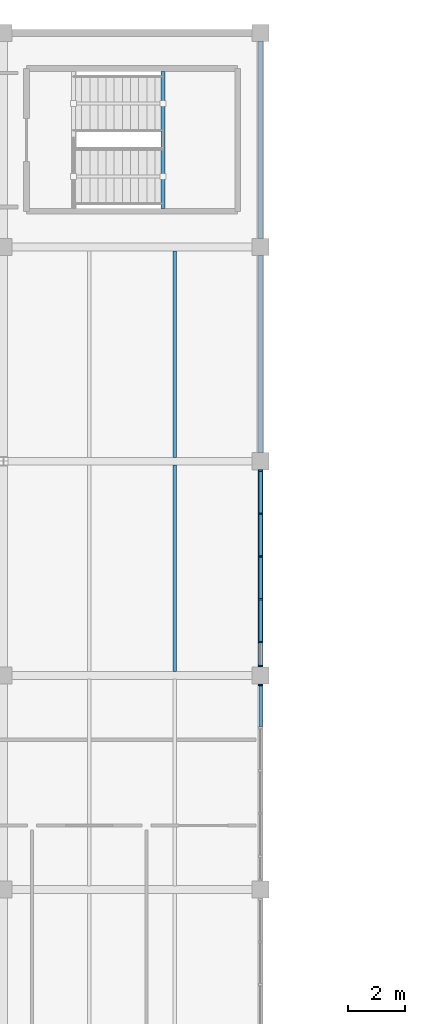
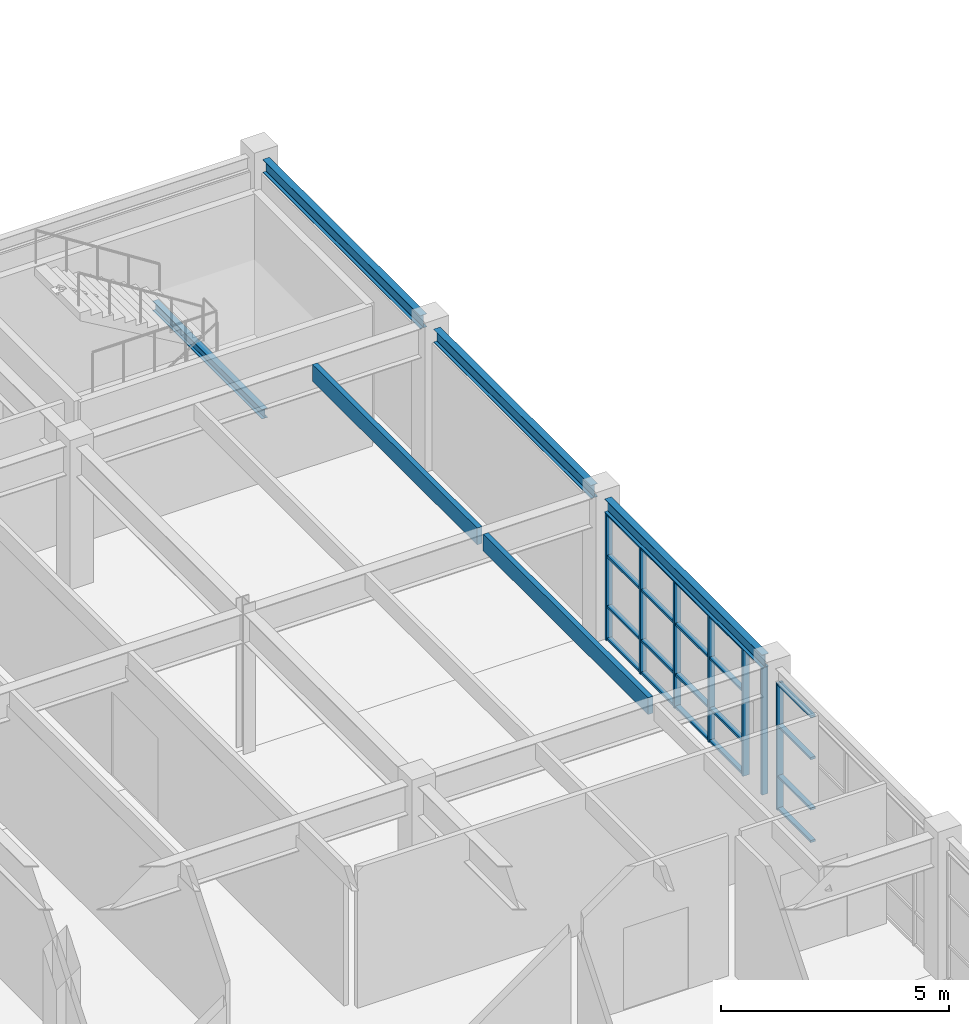
# One storey, part 36 of 76: 27 members, 6 beams, 2 elements without a shape of their own.
"""IFC4 building model written with IfcOpenShell, lengths in metres."""

from ifc_helpers import new_model, si_unit, direction, frame, origin, origin_2d, place, context, subcontext, project, spatial, rectangle, i_section, extrude, material, layer, layer_set, material_profile, profile_set, type_object, element, aggregate, save


model = new_model("IFC4")

# Units and contexts
model_context = context("Model", 3, precision=1e-05, world=origin(), true_north=direction((0.0, 1.0)))
body_context = subcontext(model_context, "Body", "Model", "MODEL_VIEW")
ifc_project = project(units=[si_unit("LENGTHUNIT", "METRE"), si_unit("AREAUNIT", "SQUARE_METRE"), si_unit("VOLUMEUNIT", "CUBIC_METRE"), si_unit("PLANEANGLEUNIT", "RADIAN"), si_unit("MASSUNIT", "GRAM", prefix="KILO")], contexts=[model_context])

# Site, building, storey
site_placement = place(None, origin())
site = spatial("IfcSite", under=ifc_project, at=site_placement, CompositionType="ELEMENT")
building_placement = place(site_placement, origin())
building = spatial("IfcBuilding", under=site, at=building_placement, Name="Marnridge Secondary College", CompositionType="ELEMENT")
storey_placement = place(building_placement, frame((0.0, 0.0, 4.5)))
storey = spatial("IfcBuildingStorey", under=building, at=storey_placement, Name="L01", CompositionType="ELEMENT", Elevation=4.5)

# Beams
ifc_material_1 = material(Name="Engineered timber LVL E13.2", Category="wood")
ifc_material_profile_1 = material_profile(ifc_material_1, rectangle(XDim=0.1259765625, YDim=0.449951171875, at=origin_2d()), Name="LVL 126x450")
ifc_profile_set_1 = profile_set([ifc_material_profile_1], Name="Engineered timber LVL E13.2")
beam_type_1 = type_object("IfcBeamType", Name="BM-LVL450-INT", PredefinedType="JOIST", material=ifc_profile_set_1)
for number, where, z_axis, x_axis, name in (
    (1, (33.0, 97.631591796875, 3.534912109375), (0.0, 1.0, 0.0), (-1.0, 0.0, 0.0), "Beam BJ-L01-0648"),
    (2, (33.0, 105.131591796875, 3.534912109375), (0.0, 1.0, 0.0), (-1.0, 0.0, 0.0), "Beam BJ-L01-0650"),
):
    element("IfcBeam", number, at=place(storey_placement, frame(where, z_axis=z_axis, x_axis=x_axis)), inside=storey, type_object=beam_type_1, Name=name, PredefinedType="JOIST", context=body_context, shape_type="SweptSolid", body=[
        extrude(rectangle(XDim=0.1259765625, YDim=0.449951171875, at=origin_2d()), origin(), (0.0, 0.0, 1.0), 7.23681640625),
    ])
ifc_material_2 = material(Name="Structural steel Grade 350 (AS/NZS 3679.1/.2, fy = 340-360 MPa)", Category="steel")
ifc_material_profile_2 = material_profile(ifc_material_2, i_section(OverallWidth=0.146240234375, OverallDepth=0.256103515625, WebThickness=0.00634765625, FlangeThickness=0.010986328125, FilletRadius=0.0087890625, at=origin_2d()), Name="250UB37.3")
ifc_profile_set_2 = profile_set([ifc_material_profile_2], Name="Structural steel Grade 350 (AS/NZS 3679.1/.2, fy = 340-360 MPa)")
beam_type_2 = type_object("IfcBeamType", Name="BM-UB250-EXT", PredefinedType="LINTEL", material=ifc_profile_set_2)
beam_placement = place(storey_placement, frame((32.5849609375, 113.842041015625, 1.671875), z_axis=(0.0, 1.0, 0.0), x_axis=(-1.0, 0.0, 0.0)))
element("IfcBeam", 3, at=beam_placement, inside=storey, type_object=beam_type_2, Name="Stair landing trimmer beam BT-L01-045", PredefinedType="LINTEL", context=body_context, shape_type="SweptSolid", body=[
    extrude(i_section(OverallWidth=0.146240234375, OverallDepth=0.256103515625, WebThickness=0.00634765625, FlangeThickness=0.010986328125, FilletRadius=0.0087890625, at=origin_2d()), origin(), (0.0, 0.0, 1.0), 4.802978515625),
])
ifc_material_3 = material(Name="Structural steel Grade 350 (AS/NZS 3679.1/.2, fy = 340-360 MPa)", Category="steel")
ifc_material_profile_3 = material_profile(ifc_material_3, i_section(OverallWidth=0.1708984375, OverallDepth=0.35205078125, WebThickness=0.0068359375, FlangeThickness=0.009765625, FilletRadius=0.011474609375, at=origin_2d()), Name="360UB44.7")
ifc_profile_set_3 = profile_set([ifc_material_profile_3], Name="Structural steel Grade 350 (AS/NZS 3679.1/.2, fy = 340-360 MPa)")
beam_type_3 = type_object("IfcBeamType", Name="BM-UB360-EXT", PredefinedType="SPANDREL", material=ifc_profile_set_3)
for number, where, z_axis, x_axis, name in (
    (4, (36.0, 97.7939453125, 3.583984375), (0.0, 1.0, 0.0), (-1.0, 0.0, 0.0), "Beam BS-L01-0606"),
    (5, (36.0, 105.2939453125, 3.583984375), (0.0, 1.0, 0.0), (-1.0, 0.0, 0.0), "Beam BS-L01-0608"),
    (6, (36.0, 112.7939453125, 3.583984375), (0.0, 1.0, 0.0), (-1.0, 0.0, 0.0), "Beam BS-L01-0610"),
):
    element("IfcBeam", number, at=place(storey_placement, frame(where, z_axis=z_axis, x_axis=x_axis)), inside=storey, type_object=beam_type_3, Name=name, PredefinedType="SPANDREL", context=body_context, shape_type="SweptSolid", body=[
        extrude(i_section(OverallWidth=0.1708984375, OverallDepth=0.35205078125, WebThickness=0.0068359375, FlangeThickness=0.009765625, FilletRadius=0.011474609375, at=origin_2d()), origin(), (0.0, 0.0, 1.0), 6.912109375),
    ])

# Curtain wall, members
ifc_material_4 = material(Name="Thermally broken aluminium and low-E glazing", Category="aluminium")
ifc_layer = layer(ifc_material_4, 0.159912109375)
ifc_layer_set = layer_set([ifc_layer], Name="CW-MOD-1500")
curtain_wall_type = type_object("IfcCurtainWallType", Name="CW-MOD-1500", PredefinedType="NOTDEFINED", material=ifc_layer_set)
curtain_wall_1_placement = place(storey_placement, origin())
curtain_wall_1 = element("IfcCurtainWall", 7, at=curtain_wall_1_placement, inside=storey, type_object=curtain_wall_type, Name="Unitised curtain wall CW-L01-048", PredefinedType="NOTDEFINED")
ifc_material_5 = material(Name="Anodised aluminium 6063-T6", Category="aluminium")
ifc_material_profile_4 = material_profile(ifc_material_5, rectangle(XDim=0.06005859375, YDim=0.159912109375, at=origin_2d()), Name="ALU 60x160")
ifc_profile_set_4 = profile_set([ifc_material_profile_4], Name="Anodised aluminium 6063-T6")
member_type_1 = type_object("IfcMemberType", Name="CWM-ALU160", PredefinedType="MULLION", material=ifc_profile_set_4)
member_1_placement = place(storey_placement, frame((36.0, 104.666015625, 0.0), z_axis=(0.0, 0.0, 1.0), x_axis=(0.0, -1.0, 0.0)))
member_1 = element("IfcMember", 8, at=member_1_placement, type_object=member_type_1, Name="CW-L01-048 mullion 1", PredefinedType="MULLION", context=body_context, shape_type="SweptSolid", body=[
    extrude(rectangle(XDim=0.06005859375, YDim=0.159912109375, at=origin_2d()), origin(), (0.0, 0.0, 1.0), 3.39990234375),
])
member_2_placement = place(storey_placement, frame((36.0, 103.166015625, 0.0), z_axis=(0.0, 0.0, 1.0), x_axis=(0.0, -1.0, 0.0)))
member_2 = element("IfcMember", 9, at=member_2_placement, type_object=member_type_1, Name="CW-L01-048 mullion 2", PredefinedType="MULLION", context=body_context, shape_type="SweptSolid", body=[
    extrude(rectangle(XDim=0.06005859375, YDim=0.159912109375, at=origin_2d()), origin(), (0.0, 0.0, 1.0), 3.39990234375),
])
member_3_placement = place(storey_placement, frame((36.0, 101.666015625, 0.0), z_axis=(0.0, 0.0, 1.0), x_axis=(0.0, -1.0, 0.0)))
member_3 = element("IfcMember", 10, at=member_3_placement, type_object=member_type_1, Name="CW-L01-048 mullion 3", PredefinedType="MULLION", context=body_context, shape_type="SweptSolid", body=[
    extrude(rectangle(XDim=0.06005859375, YDim=0.159912109375, at=origin_2d()), origin(), (0.0, 0.0, 1.0), 3.39990234375),
])
member_4_placement = place(storey_placement, frame((36.0, 100.166015625, 0.0), z_axis=(0.0, 0.0, 1.0), x_axis=(0.0, -1.0, 0.0)))
member_4 = element("IfcMember", 11, at=member_4_placement, type_object=member_type_1, Name="CW-L01-048 mullion 4", PredefinedType="MULLION", context=body_context, shape_type="SweptSolid", body=[
    extrude(rectangle(XDim=0.06005859375, YDim=0.159912109375, at=origin_2d()), origin(), (0.0, 0.0, 1.0), 3.39990234375),
])
member_5_placement = place(storey_placement, frame((36.0, 98.666015625, 0.0), z_axis=(0.0, 0.0, 1.0), x_axis=(0.0, -1.0, 0.0)))
member_5 = element("IfcMember", 12, at=member_5_placement, type_object=member_type_1, Name="CW-L01-048 mullion 5", PredefinedType="MULLION", context=body_context, shape_type="SweptSolid", body=[
    extrude(rectangle(XDim=0.06005859375, YDim=0.159912109375, at=origin_2d()), origin(), (0.0, 0.0, 1.0), 3.39990234375),
])
member_6_placement = place(storey_placement, frame((36.0, 97.833984375, 0.0), z_axis=(0.0, 0.0, 1.0), x_axis=(0.0, -1.0, 0.0)))
member_6 = element("IfcMember", 13, at=member_6_placement, type_object=member_type_1, Name="CW-L01-048 mullion 6", PredefinedType="MULLION", context=body_context, shape_type="SweptSolid", body=[
    extrude(rectangle(XDim=0.06005859375, YDim=0.159912109375, at=origin_2d()), origin(), (0.0, 0.0, 1.0), 3.39990234375),
])

# Curtain wall, member
curtain_wall_2_placement = place(storey_placement, origin())
curtain_wall_2 = element("IfcCurtainWall", 14, at=curtain_wall_2_placement, inside=storey, type_object=curtain_wall_type, Name="Unitised curtain wall CW-L01-049", PredefinedType="NOTDEFINED")
member_7_placement = place(storey_placement, frame((36.0, 97.166015625, 0.0), z_axis=(0.0, 0.0, 1.0), x_axis=(0.0, -1.0, 0.0)))
member_7 = element("IfcMember", 15, at=member_7_placement, type_object=member_type_1, Name="CW-L01-049 mullion 1", PredefinedType="MULLION", context=body_context, shape_type="SweptSolid", body=[
    extrude(rectangle(XDim=0.06005859375, YDim=0.159912109375, at=origin_2d()), origin(), (0.0, 0.0, 1.0), 3.39990234375),
])

# Member
ifc_material_6 = material(Name="Anodised aluminium 6063-T6", Category="aluminium")
ifc_material_profile_5 = material_profile(ifc_material_6, rectangle(XDim=0.06005859375, YDim=0.1201171875, at=origin_2d()), Name="ALU 60x120")
ifc_profile_set_5 = profile_set([ifc_material_profile_5], Name="Anodised aluminium 6063-T6")
member_type_2 = type_object("IfcMemberType", Name="CWT-ALU120", PredefinedType="USERDEFINED", material=ifc_profile_set_5)
member_8_placement = place(storey_placement, frame((36.0, 104.635986328125, 0.030029296875), z_axis=(0.0, -1.0, 0.0), x_axis=(0.0, 0.0, 1.0)))
member_8 = element("IfcMember", 16, at=member_8_placement, type_object=member_type_2, Name="CW-L01-048 transom 1.1", ObjectType="TRANSOM", PredefinedType="USERDEFINED", context=body_context, shape_type="SweptSolid", body=[
    extrude(rectangle(XDim=0.06005859375, YDim=0.1201171875, at=origin_2d()), origin(), (0.0, 0.0, 1.0), 1.43994140625),
])

member_9_placement = place(storey_placement, frame((36.0, 104.635986328125, 0.89990234375), z_axis=(0.0, -1.0, 0.0), x_axis=(0.0, 0.0, 1.0)))
member_9 = element("IfcMember", 17, at=member_9_placement, type_object=member_type_2, Name="CW-L01-048 transom 1.2", ObjectType="TRANSOM", PredefinedType="USERDEFINED", context=body_context, shape_type="SweptSolid", body=[
    extrude(rectangle(XDim=0.06005859375, YDim=0.1201171875, at=origin_2d()), origin(), (0.0, 0.0, 1.0), 1.43994140625),
])

member_10_placement = place(storey_placement, frame((36.0, 104.635986328125, 2.25), z_axis=(0.0, -1.0, 0.0), x_axis=(0.0, 0.0, 1.0)))
member_10 = element("IfcMember", 18, at=member_10_placement, type_object=member_type_2, Name="CW-L01-048 transom 1.3", ObjectType="TRANSOM", PredefinedType="USERDEFINED", context=body_context, shape_type="SweptSolid", body=[
    extrude(rectangle(XDim=0.06005859375, YDim=0.1201171875, at=origin_2d()), origin(), (0.0, 0.0, 1.0), 1.43994140625),
])

member_11_placement = place(storey_placement, frame((36.0, 104.635986328125, 3.3701171875), z_axis=(0.0, -1.0, 0.0), x_axis=(0.0, 0.0, 1.0)))
member_11 = element("IfcMember", 19, at=member_11_placement, type_object=member_type_2, Name="CW-L01-048 transom 1.4", ObjectType="TRANSOM", PredefinedType="USERDEFINED", context=body_context, shape_type="SweptSolid", body=[
    extrude(rectangle(XDim=0.06005859375, YDim=0.1201171875, at=origin_2d()), origin(), (0.0, 0.0, 1.0), 1.43994140625),
])

member_12_placement = place(storey_placement, frame((36.0, 103.135986328125, 0.030029296875), z_axis=(0.0, -1.0, 0.0), x_axis=(0.0, 0.0, 1.0)))
member_12 = element("IfcMember", 20, at=member_12_placement, type_object=member_type_2, Name="CW-L01-048 transom 2.1", ObjectType="TRANSOM", PredefinedType="USERDEFINED", context=body_context, shape_type="SweptSolid", body=[
    extrude(rectangle(XDim=0.06005859375, YDim=0.1201171875, at=origin_2d()), origin(), (0.0, 0.0, 1.0), 1.43994140625),
])

member_13_placement = place(storey_placement, frame((36.0, 103.135986328125, 0.89990234375), z_axis=(0.0, -1.0, 0.0), x_axis=(0.0, 0.0, 1.0)))
member_13 = element("IfcMember", 21, at=member_13_placement, type_object=member_type_2, Name="CW-L01-048 transom 2.2", ObjectType="TRANSOM", PredefinedType="USERDEFINED", context=body_context, shape_type="SweptSolid", body=[
    extrude(rectangle(XDim=0.06005859375, YDim=0.1201171875, at=origin_2d()), origin(), (0.0, 0.0, 1.0), 1.43994140625),
])

member_14_placement = place(storey_placement, frame((36.0, 103.135986328125, 2.25), z_axis=(0.0, -1.0, 0.0), x_axis=(0.0, 0.0, 1.0)))
member_14 = element("IfcMember", 22, at=member_14_placement, type_object=member_type_2, Name="CW-L01-048 transom 2.3", ObjectType="TRANSOM", PredefinedType="USERDEFINED", context=body_context, shape_type="SweptSolid", body=[
    extrude(rectangle(XDim=0.06005859375, YDim=0.1201171875, at=origin_2d()), origin(), (0.0, 0.0, 1.0), 1.43994140625),
])

member_15_placement = place(storey_placement, frame((36.0, 103.135986328125, 3.3701171875), z_axis=(0.0, -1.0, 0.0), x_axis=(0.0, 0.0, 1.0)))
member_15 = element("IfcMember", 23, at=member_15_placement, type_object=member_type_2, Name="CW-L01-048 transom 2.4", ObjectType="TRANSOM", PredefinedType="USERDEFINED", context=body_context, shape_type="SweptSolid", body=[
    extrude(rectangle(XDim=0.06005859375, YDim=0.1201171875, at=origin_2d()), origin(), (0.0, 0.0, 1.0), 1.43994140625),
])

member_16_placement = place(storey_placement, frame((36.0, 101.635986328125, 0.030029296875), z_axis=(0.0, -1.0, 0.0), x_axis=(0.0, 0.0, 1.0)))
member_16 = element("IfcMember", 24, at=member_16_placement, type_object=member_type_2, Name="CW-L01-048 transom 3.1", ObjectType="TRANSOM", PredefinedType="USERDEFINED", context=body_context, shape_type="SweptSolid", body=[
    extrude(rectangle(XDim=0.06005859375, YDim=0.1201171875, at=origin_2d()), origin(), (0.0, 0.0, 1.0), 1.43994140625),
])

member_17_placement = place(storey_placement, frame((36.0, 101.635986328125, 0.89990234375), z_axis=(0.0, -1.0, 0.0), x_axis=(0.0, 0.0, 1.0)))
member_17 = element("IfcMember", 25, at=member_17_placement, type_object=member_type_2, Name="CW-L01-048 transom 3.2", ObjectType="TRANSOM", PredefinedType="USERDEFINED", context=body_context, shape_type="SweptSolid", body=[
    extrude(rectangle(XDim=0.06005859375, YDim=0.1201171875, at=origin_2d()), origin(), (0.0, 0.0, 1.0), 1.43994140625),
])

member_18_placement = place(storey_placement, frame((36.0, 101.635986328125, 2.25), z_axis=(0.0, -1.0, 0.0), x_axis=(0.0, 0.0, 1.0)))
member_18 = element("IfcMember", 26, at=member_18_placement, type_object=member_type_2, Name="CW-L01-048 transom 3.3", ObjectType="TRANSOM", PredefinedType="USERDEFINED", context=body_context, shape_type="SweptSolid", body=[
    extrude(rectangle(XDim=0.06005859375, YDim=0.1201171875, at=origin_2d()), origin(), (0.0, 0.0, 1.0), 1.43994140625),
])

member_19_placement = place(storey_placement, frame((36.0, 101.635986328125, 3.3701171875), z_axis=(0.0, -1.0, 0.0), x_axis=(0.0, 0.0, 1.0)))
member_19 = element("IfcMember", 27, at=member_19_placement, type_object=member_type_2, Name="CW-L01-048 transom 3.4", ObjectType="TRANSOM", PredefinedType="USERDEFINED", context=body_context, shape_type="SweptSolid", body=[
    extrude(rectangle(XDim=0.06005859375, YDim=0.1201171875, at=origin_2d()), origin(), (0.0, 0.0, 1.0), 1.43994140625),
])

member_20_placement = place(storey_placement, frame((36.0, 100.135986328125, 0.030029296875), z_axis=(0.0, -1.0, 0.0), x_axis=(0.0, 0.0, 1.0)))
member_20 = element("IfcMember", 28, at=member_20_placement, type_object=member_type_2, Name="CW-L01-048 transom 4.1", ObjectType="TRANSOM", PredefinedType="USERDEFINED", context=body_context, shape_type="SweptSolid", body=[
    extrude(rectangle(XDim=0.06005859375, YDim=0.1201171875, at=origin_2d()), origin(), (0.0, 0.0, 1.0), 1.43994140625),
])

member_21_placement = place(storey_placement, frame((36.0, 100.135986328125, 0.89990234375), z_axis=(0.0, -1.0, 0.0), x_axis=(0.0, 0.0, 1.0)))
member_21 = element("IfcMember", 29, at=member_21_placement, type_object=member_type_2, Name="CW-L01-048 transom 4.2", ObjectType="TRANSOM", PredefinedType="USERDEFINED", context=body_context, shape_type="SweptSolid", body=[
    extrude(rectangle(XDim=0.06005859375, YDim=0.1201171875, at=origin_2d()), origin(), (0.0, 0.0, 1.0), 1.43994140625),
])

member_22_placement = place(storey_placement, frame((36.0, 100.135986328125, 2.25), z_axis=(0.0, -1.0, 0.0), x_axis=(0.0, 0.0, 1.0)))
member_22 = element("IfcMember", 30, at=member_22_placement, type_object=member_type_2, Name="CW-L01-048 transom 4.3", ObjectType="TRANSOM", PredefinedType="USERDEFINED", context=body_context, shape_type="SweptSolid", body=[
    extrude(rectangle(XDim=0.06005859375, YDim=0.1201171875, at=origin_2d()), origin(), (0.0, 0.0, 1.0), 1.43994140625),
])

member_23_placement = place(storey_placement, frame((36.0, 100.135986328125, 3.3701171875), z_axis=(0.0, -1.0, 0.0), x_axis=(0.0, 0.0, 1.0)))
member_23 = element("IfcMember", 31, at=member_23_placement, type_object=member_type_2, Name="CW-L01-048 transom 4.4", ObjectType="TRANSOM", PredefinedType="USERDEFINED", context=body_context, shape_type="SweptSolid", body=[
    extrude(rectangle(XDim=0.06005859375, YDim=0.1201171875, at=origin_2d()), origin(), (0.0, 0.0, 1.0), 1.43994140625),
])

aggregate(curtain_wall_1, [member_1, member_2, member_3, member_4, member_5, member_6, member_8, member_9, member_10, member_11, member_12, member_13, member_14, member_15, member_16, member_17, member_18, member_19, member_20, member_21, member_22, member_23])

member_24_placement = place(storey_placement, frame((36.0, 97.135986328125, 0.030029296875), z_axis=(0.0, -1.0, 0.0), x_axis=(0.0, 0.0, 1.0)))
member_24 = element("IfcMember", 32, at=member_24_placement, type_object=member_type_2, Name="CW-L01-049 transom 1.1", ObjectType="TRANSOM", PredefinedType="USERDEFINED", context=body_context, shape_type="SweptSolid", body=[
    extrude(rectangle(XDim=0.06005859375, YDim=0.1201171875, at=origin_2d()), origin(), (0.0, 0.0, 1.0), 1.43994140625),
])

member_25_placement = place(storey_placement, frame((36.0, 97.135986328125, 0.89990234375), z_axis=(0.0, -1.0, 0.0), x_axis=(0.0, 0.0, 1.0)))
member_25 = element("IfcMember", 33, at=member_25_placement, type_object=member_type_2, Name="CW-L01-049 transom 1.2", ObjectType="TRANSOM", PredefinedType="USERDEFINED", context=body_context, shape_type="SweptSolid", body=[
    extrude(rectangle(XDim=0.06005859375, YDim=0.1201171875, at=origin_2d()), origin(), (0.0, 0.0, 1.0), 1.43994140625),
])

member_26_placement = place(storey_placement, frame((36.0, 97.135986328125, 2.25), z_axis=(0.0, -1.0, 0.0), x_axis=(0.0, 0.0, 1.0)))
member_26 = element("IfcMember", 34, at=member_26_placement, type_object=member_type_2, Name="CW-L01-049 transom 1.3", ObjectType="TRANSOM", PredefinedType="USERDEFINED", context=body_context, shape_type="SweptSolid", body=[
    extrude(rectangle(XDim=0.06005859375, YDim=0.1201171875, at=origin_2d()), origin(), (0.0, 0.0, 1.0), 1.43994140625),
])

member_27_placement = place(storey_placement, frame((36.0, 97.135986328125, 3.3701171875), z_axis=(0.0, -1.0, 0.0), x_axis=(0.0, 0.0, 1.0)))
member_27 = element("IfcMember", 35, at=member_27_placement, type_object=member_type_2, Name="CW-L01-049 transom 1.4", ObjectType="TRANSOM", PredefinedType="USERDEFINED", context=body_context, shape_type="SweptSolid", body=[
    extrude(rectangle(XDim=0.06005859375, YDim=0.1201171875, at=origin_2d()), origin(), (0.0, 0.0, 1.0), 1.43994140625),
])

aggregate(curtain_wall_2, [member_7, member_24, member_25, member_26, member_27])

save(model, "model.ifc")
